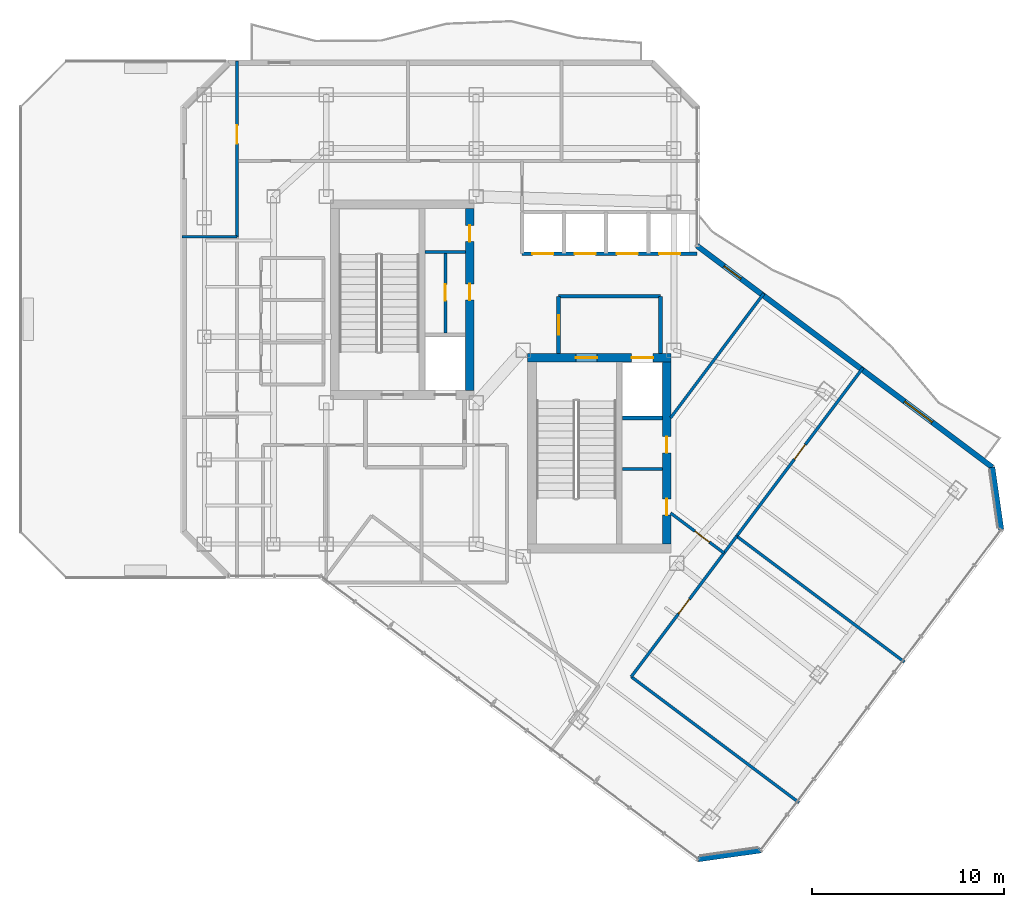
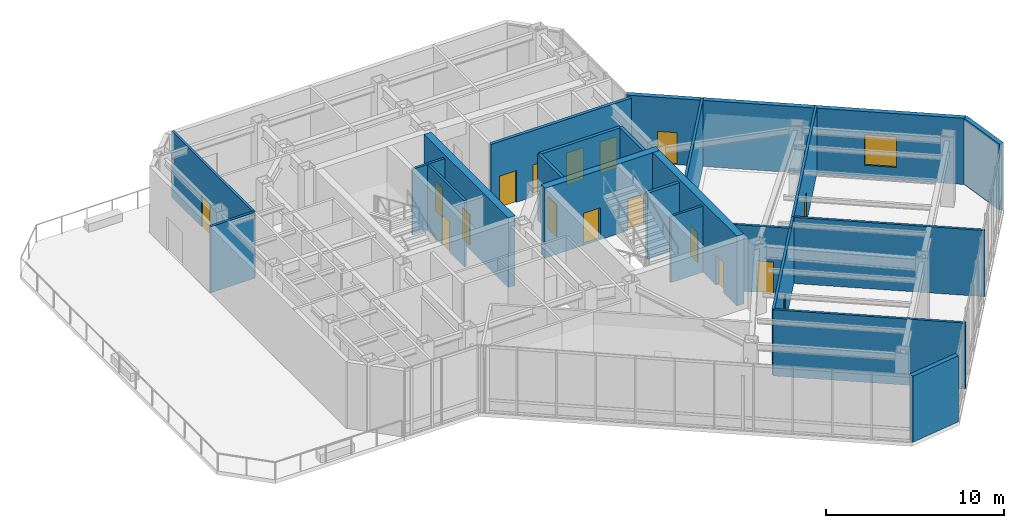
# One storey, part 17 of 21: 22 walls, 17 doors, 1 window, 18 openings.
"""IFC4 building model written with IfcOpenShell, lengths in metres."""

from ifc_helpers import new_model, si_unit, direction, frame, frame_2d, origin, place, context, subcontext, project, spatial, rectangle, extrude, material, layer, layer_set, type_object, element, fill, save


model = new_model("IFC4")

# Units and contexts
model_context = context("Model", 3, precision=1e-05, world=origin(), true_north=direction((0.0, 1.0)))
body_context = subcontext(model_context, "Body", "Model", "MODEL_VIEW")
ifc_project = project(units=[si_unit("LENGTHUNIT", "METRE"), si_unit("AREAUNIT", "SQUARE_METRE"), si_unit("VOLUMEUNIT", "CUBIC_METRE"), si_unit("PLANEANGLEUNIT", "RADIAN"), si_unit("MASSUNIT", "GRAM", prefix="KILO")], contexts=[model_context])

# Site, building, storey
site_placement = place(None, origin())
site = spatial("IfcSite", under=ifc_project, at=site_placement, CompositionType="ELEMENT")
building_placement = place(site_placement, origin())
building = spatial("IfcBuilding", under=site, at=building_placement, Name="Hatsunagi Terrace Concourse", CompositionType="ELEMENT")
storey_placement = place(building_placement, frame((0.0, 0.0, 186.75)))
storey = spatial("IfcBuildingStorey", under=building, at=storey_placement, Name="L49", CompositionType="ELEMENT", Elevation=186.75)

# Wall, openings, doors
ifc_material_1 = material(Name="Concrete Fc42", Category="concrete")
ifc_layer_1 = layer(ifc_material_1, 0.449951171875)
ifc_layer_set_1 = layer_set([ifc_layer_1], Name="CoreShearWall_Fc42_450")
wall_type_1 = type_object("IfcWallType", Name="CoreShearWall_Fc42_450", PredefinedType="SHEAR", material=ifc_layer_set_1)
wall_1_placement = place(storey_placement, frame((33.02490234375, 33.18994140625, 0.0), z_axis=(0.0, 0.0, 1.0), x_axis=(0.0, 1.0, 0.0)))
wall_1 = element("IfcWall", 1, at=wall_1_placement, inside=storey, type_object=wall_type_1, Name="Core A Shear Wall E L49", PredefinedType="SHEAR", context=body_context, shape_type="SweptSolid", body=[
    extrude(rectangle(XDim=9.47998046875, YDim=0.449951171875, at=frame_2d((4.739990234375, 0.0))), origin(), (0.0, 0.0, 1.0), 4.800048828125),
])
opening_1_placement = place(wall_1_placement, frame((4.7099609375, 0.0, 0.0)))
opening_1 = element("IfcOpeningElement", 2, at=opening_1_placement, cuts=wall_1, Name="Opening DR-085", PredefinedType="OPENING", context=body_context, shape_type="SweptSolid", body=[
    extrude(rectangle(XDim=0.85009765625, YDim=2.080078125, at=frame_2d((0.425048828125, 1.0400390625))), frame((0.0, 0.23486328125, 0.0), z_axis=(0.0, -1.0, 0.0), x_axis=(1.0, 0.0, 0.0)), (0.0, 0.0, 1.0), 0.469970703125),
])
opening_2_placement = place(wall_1_placement, frame((7.760009765625, 0.0, 0.0)))
opening_2 = element("IfcOpeningElement", 3, at=opening_2_placement, cuts=wall_1, Name="Opening DR-085", PredefinedType="OPENING", context=body_context, shape_type="SweptSolid", body=[
    extrude(rectangle(XDim=0.85009765625, YDim=2.080078125, at=frame_2d((0.425048828125, 1.0400390625))), frame((0.0, 0.23486328125, 0.0), z_axis=(0.0, -1.0, 0.0), x_axis=(1.0, 0.0, 0.0)), (0.0, 0.0, 1.0), 0.469970703125),
])
ifc_material_2 = material(Name="Painted steel", Category="steel")
door_type_1 = type_object("IfcDoorType", Name="RiserAccessDoor_EI60_850", OperationType="NOTDEFINED", PredefinedType="DOOR", material=ifc_material_2)
door_1_placement = place(opening_1_placement, origin())
door_1 = element("IfcDoor", 4, at=door_1_placement, inside=storey, type_object=door_type_1, Name="Core A Riser Door L49-1", OperationType="SINGLE_SWING_LEFT", OverallHeight=2.080078125, OverallWidth=0.85009765625, PredefinedType="DOOR", context=body_context, shape_type="SweptSolid", body=[
    extrude(rectangle(XDim=0.85009765625, YDim=2.080078125, at=frame_2d((0.425048828125, 1.0400390625))), frame((0.0, 0.02490234375, 0.0), z_axis=(0.0, -1.0, 0.0), x_axis=(1.0, 0.0, 0.0)), (0.0, 0.0, 1.0), 0.050048828125),
])
fill(opening_1, door_1)
door_2_placement = place(opening_2_placement, origin())
door_2 = element("IfcDoor", 5, at=door_2_placement, inside=storey, type_object=door_type_1, Name="Core A Riser Door L49-2", OperationType="SINGLE_SWING_LEFT", OverallHeight=2.080078125, OverallWidth=0.85009765625, PredefinedType="DOOR", context=body_context, shape_type="SweptSolid", body=[
    extrude(rectangle(XDim=0.85009765625, YDim=2.080078125, at=frame_2d((0.425048828125, 1.0400390625))), frame((0.0, 0.02490234375, 0.0), z_axis=(0.0, -1.0, 0.0), x_axis=(1.0, 0.0, 0.0)), (0.0, 0.0, 1.0), 0.050048828125),
])
fill(opening_2, door_2)

wall_2_placement = place(storey_placement, frame((36.0400390625, 34.89501953125, 0.0), z_axis=(0.0, 0.0, 1.0), x_axis=(1.0, 0.0, 0.0)))
wall_2 = element("IfcWall", 6, at=wall_2_placement, inside=storey, type_object=wall_type_1, Name="Core B Shear Wall N L49", PredefinedType="SHEAR", context=body_context, shape_type="SweptSolid", body=[
    extrude(rectangle(XDim=7.4599609375, YDim=0.449951171875, at=frame_2d((3.72998046875, 0.0))), origin(), (0.0, 0.0, 1.0), 4.800048828125),
])
opening_3_placement = place(wall_2_placement, frame((2.510009765625, 0.0, 0.0)))
opening_3 = element("IfcOpeningElement", 7, at=opening_3_placement, cuts=wall_2, Name="Opening DR-110S", PredefinedType="OPENING", context=body_context, shape_type="SweptSolid", body=[
    extrude(rectangle(XDim=1.10009765625, YDim=2.199951171875, at=frame_2d((0.550048828125, 1.10009765625))), frame((0.0, 0.23486328125, 0.0), z_axis=(0.0, -1.0, 0.0), x_axis=(1.0, 0.0, 0.0)), (0.0, 0.0, 1.0), 0.469970703125),
])
opening_4_placement = place(wall_2_placement, frame((5.409912109375, 0.0, 0.0)))
opening_4 = element("IfcOpeningElement", 8, at=opening_4_placement, cuts=wall_2, Name="Opening LD-02", PredefinedType="OPENING", context=body_context, shape_type="SweptSolid", body=[
    extrude(rectangle(XDim=1.1201171875, YDim=2.14990234375, at=frame_2d((0.56005859375, 1.074951171875))), frame((0.0, 0.23486328125, 0.0), z_axis=(0.0, -1.0, 0.0), x_axis=(1.0, 0.0, 0.0)), (0.0, 0.0, 1.0), 0.469970703125),
])
ifc_material_3 = material(Name="Stainless steel", Category="steel")
door_type_2 = type_object("IfcDoorType", Name="LiftLandingDoor_LD02", OperationType="SLIDING_TO_RIGHT", PredefinedType="USERDEFINED", material=ifc_material_3)
door_3_placement = place(opening_4_placement, origin())
door_3 = element("IfcDoor", 9, at=door_3_placement, inside=storey, type_object=door_type_2, Name="Lift landing door FF-02 L49", ObjectType="SLIDING_LANDING_DOOR", OperationType="SLIDING_TO_RIGHT", OverallHeight=2.14990234375, OverallWidth=1.1201171875, PredefinedType="USERDEFINED", context=body_context, shape_type="SweptSolid", body=[
    extrude(rectangle(XDim=1.1201171875, YDim=2.14990234375, at=frame_2d((0.56005859375, 1.074951171875))), frame((0.0, 0.02490234375, 0.0), z_axis=(0.0, -1.0, 0.0), x_axis=(1.0, 0.0, 0.0)), (0.0, 0.0, 1.0), 0.050048828125),
])
fill(opening_4, door_3)
ifc_material_4 = material(Name="Painted steel", Category="steel")
door_type_3 = type_object("IfcDoorType", Name="StairFireDoor_EI60_1100", OperationType="NOTDEFINED", PredefinedType="DOOR", material=ifc_material_4)
door_4_placement = place(opening_3_placement, origin())
door_4 = element("IfcDoor", 10, at=door_4_placement, inside=storey, type_object=door_type_3, Name="Stair ST-B Exit Door L49", OperationType="SINGLE_SWING_RIGHT", OverallHeight=2.199951171875, OverallWidth=1.10009765625, PredefinedType="DOOR", context=body_context, shape_type="SweptSolid", body=[
    extrude(rectangle(XDim=1.10009765625, YDim=2.199951171875, at=frame_2d((0.550048828125, 1.10009765625))), frame((0.0, 0.02490234375, 0.0), z_axis=(0.0, -1.0, 0.0), x_axis=(1.0, 0.0, 0.0)), (0.0, 0.0, 1.0), 0.050048828125),
])
fill(opening_3, door_4)

wall_3_placement = place(storey_placement, frame((43.27490234375, 25.18994140625, 0.0), z_axis=(0.0, 0.0, 1.0), x_axis=(0.0, 1.0, 0.0)))
wall_3 = element("IfcWall", 11, at=wall_3_placement, inside=storey, type_object=wall_type_1, Name="Core B Shear Wall E L49", PredefinedType="SHEAR", context=body_context, shape_type="SweptSolid", body=[
    extrude(rectangle(XDim=9.47998046875, YDim=0.449951171875, at=frame_2d((4.739990234375, 0.0))), origin(), (0.0, 0.0, 1.0), 4.800048828125),
])
opening_5_placement = place(wall_3_placement, frame((1.510009765625, 0.0, 0.0)))
opening_5 = element("IfcOpeningElement", 12, at=opening_5_placement, cuts=wall_3, Name="Opening DR-085", PredefinedType="OPENING", context=body_context, shape_type="SweptSolid", body=[
    extrude(rectangle(XDim=0.85009765625, YDim=2.080078125, at=frame_2d((0.425048828125, 1.0400390625))), frame((0.0, 0.23486328125, 0.0), z_axis=(0.0, -1.0, 0.0), x_axis=(1.0, 0.0, 0.0)), (0.0, 0.0, 1.0), 0.469970703125),
])
opening_6_placement = place(wall_3_placement, frame((4.760009765625, 0.0, 0.0)))
opening_6 = element("IfcOpeningElement", 13, at=opening_6_placement, cuts=wall_3, Name="Opening DR-085", PredefinedType="OPENING", context=body_context, shape_type="SweptSolid", body=[
    extrude(rectangle(XDim=0.85009765625, YDim=2.080078125, at=frame_2d((0.425048828125, 1.0400390625))), frame((0.0, 0.23486328125, 0.0), z_axis=(0.0, -1.0, 0.0), x_axis=(1.0, 0.0, 0.0)), (0.0, 0.0, 1.0), 0.469970703125),
])
door_5_placement = place(opening_5_placement, origin())
door_5 = element("IfcDoor", 14, at=door_5_placement, inside=storey, type_object=door_type_1, Name="Core B Riser Door L49-1", OperationType="SINGLE_SWING_RIGHT", OverallHeight=2.080078125, OverallWidth=0.85009765625, PredefinedType="DOOR", context=body_context, shape_type="SweptSolid", body=[
    extrude(rectangle(XDim=0.85009765625, YDim=2.080078125, at=frame_2d((0.425048828125, 1.0400390625))), frame((0.0, 0.02490234375, 0.0), z_axis=(0.0, -1.0, 0.0), x_axis=(1.0, 0.0, 0.0)), (0.0, 0.0, 1.0), 0.050048828125),
])
fill(opening_5, door_5)
door_6_placement = place(opening_6_placement, origin())
door_6 = element("IfcDoor", 15, at=door_6_placement, inside=storey, type_object=door_type_1, Name="Core B Riser Door L49-2", OperationType="SINGLE_SWING_RIGHT", OverallHeight=2.080078125, OverallWidth=0.85009765625, PredefinedType="DOOR", context=body_context, shape_type="SweptSolid", body=[
    extrude(rectangle(XDim=0.85009765625, YDim=2.080078125, at=frame_2d((0.425048828125, 1.0400390625))), frame((0.0, 0.02490234375, 0.0), z_axis=(0.0, -1.0, 0.0), x_axis=(1.0, 0.0, 0.0)), (0.0, 0.0, 1.0), 0.050048828125),
])
fill(opening_6, door_6)

# Wall, opening, door
ifc_material_5 = material(Name="Acoustic mineral board", Category="gypsum")
ifc_layer_2 = layer(ifc_material_5, 0.14990234375)
ifc_layer_set_2 = layer_set([ifc_layer_2], Name="PartitionWall_EI60_150")
wall_type_2 = type_object("IfcWallType", Name="PartitionWall_EI60_150", PredefinedType="PARTITIONING", material=ifc_layer_set_2)
wall_4_placement = place(storey_placement, frame((31.75, 36.179931640625, 0.0), z_axis=(0.0, 0.0, 1.0), x_axis=(0.0, 1.0, 0.0)))
wall_4 = element("IfcWall", 16, at=wall_4_placement, inside=storey, type_object=wall_type_2, Name="Interior Partition IW-L49-002", PredefinedType="PARTITIONING", context=body_context, shape_type="SweptSolid", body=[
    extrude(rectangle(XDim=4.239990234375, YDim=0.14990234375, at=frame_2d((2.1201171875, 0.0))), origin(), (0.0, 0.0, 1.0), 4.550048828125),
])
opening_7_placement = place(wall_4_placement, frame((1.695068359375, 0.0, 0.0)))
opening_7 = element("IfcOpeningElement", 17, at=opening_7_placement, cuts=wall_4, Name="Opening DR-085", PredefinedType="OPENING", context=body_context, shape_type="SweptSolid", body=[
    extrude(rectangle(XDim=0.85009765625, YDim=2.080078125, at=frame_2d((0.425048828125, 1.0400390625))), frame((0.0, 0.0849609375, 0.0), z_axis=(0.0, -1.0, 0.0), x_axis=(1.0, 0.0, 0.0)), (0.0, 0.0, 1.0), 0.169921875),
])
door_7_placement = place(opening_7_placement, origin())
door_7 = element("IfcDoor", 18, at=door_7_placement, inside=storey, type_object=door_type_1, Name="Core A Sub-Riser Door L49", OperationType="SINGLE_SWING_LEFT", OverallHeight=2.080078125, OverallWidth=0.85009765625, PredefinedType="DOOR", context=body_context, shape_type="SweptSolid", body=[
    extrude(rectangle(XDim=0.85009765625, YDim=2.080078125, at=frame_2d((0.425048828125, 1.0400390625))), frame((0.0, 0.02490234375, 0.0), z_axis=(0.0, -1.0, 0.0), x_axis=(1.0, 0.0, 0.0)), (0.0, 0.0, 1.0), 0.050048828125),
])
fill(opening_7, door_7)

# Walls
wall_5_placement = place(storey_placement, frame((30.699951171875, 40.39990234375, 0.0), z_axis=(0.0, 0.0, 1.0), x_axis=(1.0, 0.0, 0.0)))
element("IfcWall", 19, at=wall_5_placement, inside=storey, type_object=wall_type_2, Name="Interior Partition IW-L49-003", PredefinedType="PARTITIONING", context=body_context, shape_type="SweptSolid", body=[
    extrude(rectangle(XDim=2.10009765625, YDim=0.14990234375, at=frame_2d((1.050048828125, 0.0))), origin(), (0.0, 0.0, 1.0), 4.550048828125),
])
wall_6_placement = place(storey_placement, frame((40.969970703125, 29.10009765625, 0.0), z_axis=(0.0, 0.0, 1.0), x_axis=(1.0, 0.0, 0.0)))
element("IfcWall", 20, at=wall_6_placement, inside=storey, type_object=wall_type_2, Name="Interior Partition IW-L49-005", PredefinedType="PARTITIONING", context=body_context, shape_type="SweptSolid", body=[
    extrude(rectangle(XDim=2.080078125, YDim=0.14990234375, at=frame_2d((1.0400390625, 0.0))), origin(), (0.0, 0.0, 1.0), 4.550048828125),
])
wall_7_placement = place(storey_placement, frame((18.0400390625, 41.199951171875, 0.0), z_axis=(0.0, 0.0, 1.0), x_axis=(1.0, 0.0, 0.0)))
element("IfcWall", 21, at=wall_7_placement, inside=storey, type_object=wall_type_2, Name="Interior Partition IW-L49-035", PredefinedType="PARTITIONING", context=body_context, shape_type="SweptSolid", body=[
    extrude(rectangle(XDim=2.85986328125, YDim=0.14990234375, at=frame_2d((1.429931640625, 0.0))), origin(), (0.0, 0.0, 1.0), 4.550048828125),
])

# Wall, opening, door
wall_8_placement = place(storey_placement, frame((20.89990234375, 41.199951171875, 0.0), z_axis=(0.0, 0.0, 1.0), x_axis=(0.0, 1.0, 0.0)))
wall_8 = element("IfcWall", 22, at=wall_8_placement, inside=storey, type_object=wall_type_2, Name="Interior Partition IW-L49-037", PredefinedType="PARTITIONING", context=body_context, shape_type="SweptSolid", body=[
    extrude(rectangle(XDim=9.16015625, YDim=0.14990234375, at=frame_2d((4.580078125, 0.0))), origin(), (0.0, 0.0, 1.0), 4.550048828125),
])
opening_8_placement = place(wall_8_placement, frame((4.85009765625, 0.0, 0.0)))
opening_8 = element("IfcOpeningElement", 23, at=opening_8_placement, cuts=wall_8, Name="Opening DR-095", PredefinedType="OPENING", context=body_context, shape_type="SweptSolid", body=[
    extrude(rectangle(XDim=0.949951171875, YDim=2.14990234375, at=frame_2d((0.47509765625, 1.074951171875))), frame((0.0, 0.0849609375, 0.0), z_axis=(0.0, -1.0, 0.0), x_axis=(1.0, 0.0, 0.0)), (0.0, 0.0, 1.0), 0.169921875),
])
ifc_material_6 = material(Name="Hardwood timber", Category="wood")
door_type_4 = type_object("IfcDoorType", Name="InteriorSuiteDoor_EI30_950", OperationType="NOTDEFINED", PredefinedType="DOOR", material=ifc_material_6)
door_8_placement = place(opening_8_placement, origin())
door_8 = element("IfcDoor", 24, at=door_8_placement, inside=storey, type_object=door_type_4, Name="Boardroom L49-OW3 Door", OperationType="SINGLE_SWING_RIGHT", OverallHeight=2.14990234375, OverallWidth=0.949951171875, PredefinedType="DOOR", context=body_context, shape_type="SweptSolid", body=[
    extrude(rectangle(XDim=0.949951171875, YDim=2.14990234375, at=frame_2d((0.47509765625, 1.074951171875))), frame((0.0, 0.02490234375, 0.0), z_axis=(0.0, -1.0, 0.0), x_axis=(1.0, 0.0, 0.0)), (0.0, 0.0, 1.0), 0.050048828125),
])
fill(opening_8, door_8)

# Walls
for number, where, z_axis, x_axis, name in (
    (25, (41.429931640625, 18.2900390625, 0.0), (0.0, 0.0, 1.0), (0.799994629375, -0.600007160767, 0.0), "Interior Partition IW-L49-043"),
    (26, (46.919921875, 25.610107421875, 0.0), (0.0, 0.0, 1.0), (0.799994629375, -0.600007160767, 0.0), "Interior Partition IW-L49-044"),
):
    element("IfcWall", number, at=place(storey_placement, frame(where, z_axis=z_axis, x_axis=x_axis)), inside=storey, type_object=wall_type_2, Name=name, PredefinedType="PARTITIONING", context=body_context, shape_type="SweptSolid", body=[
        extrude(rectangle(XDim=10.91015625, YDim=0.14990234375, at=frame_2d((5.455078125, 0.0))), origin(), (0.0, 0.0, 1.0), 4.550048828125),
    ])

# Wall, opening, door
wall_9_placement = place(storey_placement, frame((41.429931640625, 18.2900390625, 0.0), z_axis=(0.0, 0.0, 1.0), x_axis=(0.599995730889, 0.800003201816, 0.0)))
wall_9 = element("IfcWall", 27, at=wall_9_placement, inside=storey, type_object=wall_type_2, Name="Interior Partition IW-L49-045", PredefinedType="PARTITIONING", context=body_context, shape_type="SweptSolid", body=[
    extrude(rectangle(XDim=9.150146484375, YDim=0.14990234375, at=frame_2d((4.5751953125, 0.0))), origin(), (0.0, 0.0, 1.0), 4.550048828125),
])
opening_9_placement = place(wall_9_placement, frame((4.10009765625, 0.0, 0.0)))
opening_9 = element("IfcOpeningElement", 28, at=opening_9_placement, cuts=wall_9, Name="Opening DR-095", PredefinedType="OPENING", context=body_context, shape_type="SweptSolid", body=[
    extrude(rectangle(XDim=0.949951171875, YDim=2.14990234375, at=frame_2d((0.47509765625, 1.074951171875))), frame((0.0, 0.0849609375, 0.0), z_axis=(0.0, -1.0, 0.0), x_axis=(1.0, 0.0, 0.0)), (0.0, 0.0, 1.0), 0.169921875),
])
door_9_placement = place(opening_9_placement, origin())
door_9 = element("IfcDoor", 29, at=door_9_placement, inside=storey, type_object=door_type_4, Name="Research Focus Suite L49-OSE1 Door", OperationType="SINGLE_SWING_RIGHT", OverallHeight=2.14990234375, OverallWidth=0.949951171875, PredefinedType="DOOR", context=body_context, shape_type="SweptSolid", body=[
    extrude(rectangle(XDim=0.949951171875, YDim=2.14990234375, at=frame_2d((0.47509765625, 1.074951171875))), frame((0.0, 0.02490234375, 0.0), z_axis=(0.0, -1.0, 0.0), x_axis=(1.0, 0.0, 0.0)), (0.0, 0.0, 1.0), 0.050048828125),
])
fill(opening_9, door_9)

wall_10_placement = place(storey_placement, frame((46.919921875, 25.610107421875, 0.0), z_axis=(0.0, 0.0, 1.0), x_axis=(0.600017820398, 0.799986634391, 0.0)))
wall_10 = element("IfcWall", 30, at=wall_10_placement, inside=storey, type_object=wall_type_2, Name="Interior Partition IW-L49-046", PredefinedType="PARTITIONING", context=body_context, shape_type="SweptSolid", body=[
    extrude(rectangle(XDim=10.9599609375, YDim=0.14990234375, at=frame_2d((5.47998046875, 0.0))), origin(), (0.0, 0.0, 1.0), 4.550048828125),
])
opening_10_placement = place(wall_10_placement, frame((5.0048828125, 0.0, 0.0)))
opening_10 = element("IfcOpeningElement", 31, at=opening_10_placement, cuts=wall_10, Name="Opening DR-095", PredefinedType="OPENING", context=body_context, shape_type="SweptSolid", body=[
    extrude(rectangle(XDim=0.949951171875, YDim=2.14990234375, at=frame_2d((0.47509765625, 1.074951171875))), frame((0.0, 0.0849609375, 0.0), z_axis=(0.0, -1.0, 0.0), x_axis=(1.0, 0.0, 0.0)), (0.0, 0.0, 1.0), 0.169921875),
])
door_10_placement = place(opening_10_placement, origin())
door_10 = element("IfcDoor", 32, at=door_10_placement, inside=storey, type_object=door_type_4, Name="Research Focus Suite L49-OSE2 Door", OperationType="SINGLE_SWING_RIGHT", OverallHeight=2.14990234375, OverallWidth=0.949951171875, PredefinedType="DOOR", context=body_context, shape_type="SweptSolid", body=[
    extrude(rectangle(XDim=0.949951171875, YDim=2.14990234375, at=frame_2d((0.47509765625, 1.074951171875))), frame((0.0, 0.02490234375, 0.0), z_axis=(0.0, -1.0, 0.0), x_axis=(1.0, 0.0, 0.0)), (0.0, 0.0, 1.0), 0.050048828125),
])
fill(opening_10, door_10)

wall_11_placement = place(storey_placement, frame((43.47998046875, 26.81494140625, 0.0), z_axis=(0.0, 0.0, 1.0), x_axis=(0.800008430676, -0.599988758934, 0.0)))
wall_11 = element("IfcWall", 33, at=wall_11_placement, inside=storey, type_object=wall_type_2, Name="Interior Partition IW-L49-047", PredefinedType="PARTITIONING", context=body_context, shape_type="SweptSolid", body=[
    extrude(rectangle(XDim=3.47509765625, YDim=0.14990234375, at=frame_2d((1.737548828125, 0.0))), origin(), (0.0, 0.0, 1.0), 4.550048828125),
])
opening_11_placement = place(wall_11_placement, frame((1.580078125, 0.0, 0.0)))
opening_11 = element("IfcOpeningElement", 34, at=opening_11_placement, cuts=wall_11, Name="Opening DR-095", PredefinedType="OPENING", context=body_context, shape_type="SweptSolid", body=[
    extrude(rectangle(XDim=0.949951171875, YDim=2.14990234375, at=frame_2d((0.47509765625, 1.074951171875))), frame((0.0, 0.0849609375, 0.0), z_axis=(0.0, -1.0, 0.0), x_axis=(1.0, 0.0, 0.0)), (0.0, 0.0, 1.0), 0.169921875),
])
door_11_placement = place(opening_11_placement, origin())
door_11 = element("IfcDoor", 35, at=door_11_placement, inside=storey, type_object=door_type_4, Name="Collaboration Lounge L49-OSEN1 Door", OperationType="SINGLE_SWING_LEFT", OverallHeight=2.14990234375, OverallWidth=0.949951171875, PredefinedType="DOOR", context=body_context, shape_type="SweptSolid", body=[
    extrude(rectangle(XDim=0.949951171875, YDim=2.14990234375, at=frame_2d((0.47509765625, 1.074951171875))), frame((0.0, 0.02490234375, 0.0), z_axis=(0.0, -1.0, 0.0), x_axis=(1.0, 0.0, 0.0)), (0.0, 0.0, 1.0), 0.050048828125),
])
fill(opening_11, door_11)

# Walls
wall_12_placement = place(storey_placement, frame((43.47998046875, 31.77294921875, 0.0), z_axis=(0.0, 0.0, 1.0), x_axis=(0.599971041729, 0.800021717885, 0.0)))
element("IfcWall", 36, at=wall_12_placement, inside=storey, type_object=wall_type_2, Name="Interior Partition IW-L49-048", PredefinedType="PARTITIONING", context=body_context, shape_type="SweptSolid", body=[
    extrude(rectangle(XDim=8.09375, YDim=0.14990234375, at=frame_2d((4.046875, 0.0))), origin(), (0.0, 0.0, 1.0), 4.550048828125),
])
ifc_material_7 = material(Name="Acoustic mineral board", Category="gypsum")
ifc_layer_3 = layer(ifc_material_7, 0.199951171875)
ifc_layer_set_3 = layer_set([ifc_layer_3], Name="ShaftWall_EI120_200")
wall_type_3 = type_object("IfcWallType", Name="ShaftWall_EI120_200", PredefinedType="STANDARD", material=ifc_layer_set_3)
wall_13_placement = place(storey_placement, frame((40.969970703125, 31.760009765625, 0.0), z_axis=(0.0, 0.0, 1.0), x_axis=(1.0, 0.0, 0.0)))
element("IfcWall", 37, at=wall_13_placement, inside=storey, type_object=wall_type_3, Name="Interior Partition IW-L49-004", PredefinedType="STANDARD", context=body_context, shape_type="SweptSolid", body=[
    extrude(rectangle(XDim=2.080078125, YDim=0.199951171875, at=frame_2d((1.0400390625, 0.0))), origin(), (0.0, 0.0, 1.0), 4.550048828125),
])
wall_14_placement = place(storey_placement, frame((37.64990234375, 38.10009765625, 0.0), z_axis=(0.0, 0.0, 1.0), x_axis=(1.0, 0.0, 0.0)))
element("IfcWall", 38, at=wall_14_placement, inside=storey, type_object=wall_type_3, Name="Interior Partition IW-L49-009", PredefinedType="STANDARD", context=body_context, shape_type="SweptSolid", body=[
    extrude(rectangle(XDim=5.300048828125, YDim=0.199951171875, at=frame_2d((2.64990234375, 0.0))), origin(), (0.0, 0.0, 1.0), 4.550048828125),
])
wall_15_placement = place(storey_placement, frame((42.949951171875, 35.1201171875, 0.0), z_axis=(0.0, 0.0, 1.0), x_axis=(0.0, 1.0, 0.0)))
element("IfcWall", 39, at=wall_15_placement, inside=storey, type_object=wall_type_3, Name="Interior Partition IW-L49-010", PredefinedType="STANDARD", context=body_context, shape_type="SweptSolid", body=[
    extrude(rectangle(XDim=2.97998046875, YDim=0.199951171875, at=frame_2d((1.489990234375, 0.0))), origin(), (0.0, 0.0, 1.0), 4.550048828125),
])

# Wall, opening, door
wall_16_placement = place(storey_placement, frame((37.64990234375, 35.1201171875, 0.0), z_axis=(0.0, 0.0, 1.0), x_axis=(0.0, 1.0, 0.0)))
wall_16 = element("IfcWall", 40, at=wall_16_placement, inside=storey, type_object=wall_type_3, Name="Interior Partition IW-L49-011", PredefinedType="STANDARD", context=body_context, shape_type="SweptSolid", body=[
    extrude(rectangle(XDim=2.97998046875, YDim=0.199951171875, at=frame_2d((1.489990234375, 0.0))), origin(), (0.0, 0.0, 1.0), 4.550048828125),
])
opening_12_placement = place(wall_16_placement, frame((0.989990234375, 0.0, 0.0)))
opening_12 = element("IfcOpeningElement", 41, at=opening_12_placement, cuts=wall_16, Name="Opening DR-100F", PredefinedType="OPENING", context=body_context, shape_type="SweptSolid", body=[
    extrude(rectangle(XDim=1.0, YDim=2.199951171875, at=frame_2d((0.5, 1.10009765625))), frame((0.0, 0.10986328125, 0.0), z_axis=(0.0, -1.0, 0.0), x_axis=(1.0, 0.0, 0.0)), (0.0, 0.0, 1.0), 0.219970703125),
])
ifc_material_8 = material(Name="Painted steel", Category="steel")
door_type_5 = type_object("IfcDoorType", Name="FireDoor_EI60_1000", OperationType="NOTDEFINED", PredefinedType="DOOR", material=ifc_material_8)
door_12_placement = place(opening_12_placement, origin())
door_12 = element("IfcDoor", 42, at=door_12_placement, inside=storey, type_object=door_type_5, Name="Firefighting Lobby B Door L49", OperationType="SINGLE_SWING_RIGHT", OverallHeight=2.199951171875, OverallWidth=1.0, PredefinedType="DOOR", context=body_context, shape_type="SweptSolid", body=[
    extrude(rectangle(XDim=1.0, YDim=2.199951171875, at=frame_2d((0.5, 1.10009765625))), frame((0.0, 0.02490234375, 0.0), z_axis=(0.0, -1.0, 0.0), x_axis=(1.0, 0.0, 0.0)), (0.0, 0.0, 1.0), 0.050048828125),
])
fill(opening_12, door_12)

# Wall, openings, doors
wall_17_placement = place(storey_placement, frame((35.75, 40.320068359375, 0.0), z_axis=(0.0, 0.0, 1.0), x_axis=(1.0, 0.0, 0.0)))
wall_17 = element("IfcWall", 43, at=wall_17_placement, inside=storey, type_object=wall_type_3, Name="Interior Partition IW-L49-017", PredefinedType="STANDARD", context=body_context, shape_type="SweptSolid", body=[
    extrude(rectangle(XDim=9.110107421875, YDim=0.199951171875, at=frame_2d((4.55517578125, 0.0))), origin(), (0.0, 0.0, 1.0), 4.550048828125),
])
opening_13_placement = place(wall_17_placement, frame((0.530029296875, 0.0, 0.0)))
opening_13 = element("IfcOpeningElement", 44, at=opening_13_placement, cuts=wall_17, Name="Opening LD-04", PredefinedType="OPENING", context=body_context, shape_type="SweptSolid", body=[
    extrude(rectangle(XDim=1.10009765625, YDim=2.179931640625, at=frame_2d((0.550048828125, 1.08984375))), frame((0.0, 0.10986328125, 0.0), z_axis=(0.0, -1.0, 0.0), x_axis=(1.0, 0.0, 0.0)), (0.0, 0.0, 1.0), 0.219970703125),
])
opening_14_placement = place(wall_17_placement, frame((2.72998046875, 0.0, 0.0)))
opening_14 = element("IfcOpeningElement", 45, at=opening_14_placement, cuts=wall_17, Name="Opening LD-04", PredefinedType="OPENING", context=body_context, shape_type="SweptSolid", body=[
    extrude(rectangle(XDim=1.10009765625, YDim=2.179931640625, at=frame_2d((0.550048828125, 1.08984375))), frame((0.0, 0.10986328125, 0.0), z_axis=(0.0, -1.0, 0.0), x_axis=(1.0, 0.0, 0.0)), (0.0, 0.0, 1.0), 0.219970703125),
])
opening_15_placement = place(wall_17_placement, frame((4.929931640625, 0.0, 0.0)))
opening_15 = element("IfcOpeningElement", 46, at=opening_15_placement, cuts=wall_17, Name="Opening LD-04", PredefinedType="OPENING", context=body_context, shape_type="SweptSolid", body=[
    extrude(rectangle(XDim=1.10009765625, YDim=2.179931640625, at=frame_2d((0.550048828125, 1.08984375))), frame((0.0, 0.10986328125, 0.0), z_axis=(0.0, -1.0, 0.0), x_axis=(1.0, 0.0, 0.0)), (0.0, 0.0, 1.0), 0.219970703125),
])
opening_16_placement = place(wall_17_placement, frame((7.1298828125, 0.0, 0.0)))
opening_16 = element("IfcOpeningElement", 47, at=opening_16_placement, cuts=wall_17, Name="Opening LD-04", PredefinedType="OPENING", context=body_context, shape_type="SweptSolid", body=[
    extrude(rectangle(XDim=1.10009765625, YDim=2.179931640625, at=frame_2d((0.550048828125, 1.08984375))), frame((0.0, 0.10986328125, 0.0), z_axis=(0.0, -1.0, 0.0), x_axis=(1.0, 0.0, 0.0)), (0.0, 0.0, 1.0), 0.219970703125),
])
ifc_material_9 = material(Name="Stainless steel", Category="steel")
door_type_6 = type_object("IfcDoorType", Name="LiftLandingDoor_LD04", OperationType="SLIDING_TO_RIGHT", PredefinedType="USERDEFINED", material=ifc_material_9)
door_13_placement = place(opening_13_placement, origin())
door_13 = element("IfcDoor", 48, at=door_13_placement, inside=storey, type_object=door_type_6, Name="Lift landing door PL-05 L49", ObjectType="SLIDING_LANDING_DOOR", OperationType="SLIDING_TO_RIGHT", OverallHeight=2.179931640625, OverallWidth=1.10009765625, PredefinedType="USERDEFINED", context=body_context, shape_type="SweptSolid", body=[
    extrude(rectangle(XDim=1.10009765625, YDim=2.179931640625, at=frame_2d((0.550048828125, 1.08984375))), frame((0.0, 0.02490234375, 0.0), z_axis=(0.0, -1.0, 0.0), x_axis=(1.0, 0.0, 0.0)), (0.0, 0.0, 1.0), 0.050048828125),
])
fill(opening_13, door_13)
door_14_placement = place(opening_14_placement, origin())
door_14 = element("IfcDoor", 49, at=door_14_placement, inside=storey, type_object=door_type_6, Name="Lift landing door PL-06 L49", ObjectType="SLIDING_LANDING_DOOR", OperationType="SLIDING_TO_RIGHT", OverallHeight=2.179931640625, OverallWidth=1.10009765625, PredefinedType="USERDEFINED", context=body_context, shape_type="SweptSolid", body=[
    extrude(rectangle(XDim=1.10009765625, YDim=2.179931640625, at=frame_2d((0.550048828125, 1.08984375))), frame((0.0, 0.02490234375, 0.0), z_axis=(0.0, -1.0, 0.0), x_axis=(1.0, 0.0, 0.0)), (0.0, 0.0, 1.0), 0.050048828125),
])
fill(opening_14, door_14)
door_15_placement = place(opening_15_placement, origin())
door_15 = element("IfcDoor", 50, at=door_15_placement, inside=storey, type_object=door_type_6, Name="Lift landing door PL-07 L49", ObjectType="SLIDING_LANDING_DOOR", OperationType="SLIDING_TO_RIGHT", OverallHeight=2.179931640625, OverallWidth=1.10009765625, PredefinedType="USERDEFINED", context=body_context, shape_type="SweptSolid", body=[
    extrude(rectangle(XDim=1.10009765625, YDim=2.179931640625, at=frame_2d((0.550048828125, 1.08984375))), frame((0.0, 0.02490234375, 0.0), z_axis=(0.0, -1.0, 0.0), x_axis=(1.0, 0.0, 0.0)), (0.0, 0.0, 1.0), 0.050048828125),
])
fill(opening_15, door_15)
door_16_placement = place(opening_16_placement, origin())
door_16 = element("IfcDoor", 51, at=door_16_placement, inside=storey, type_object=door_type_6, Name="Lift landing door PL-08 L49", ObjectType="SLIDING_LANDING_DOOR", OperationType="SLIDING_TO_RIGHT", OverallHeight=2.179931640625, OverallWidth=1.10009765625, PredefinedType="USERDEFINED", context=body_context, shape_type="SweptSolid", body=[
    extrude(rectangle(XDim=1.10009765625, YDim=2.179931640625, at=frame_2d((0.550048828125, 1.08984375))), frame((0.0, 0.02490234375, 0.0), z_axis=(0.0, -1.0, 0.0), x_axis=(1.0, 0.0, 0.0)), (0.0, 0.0, 1.0), 0.050048828125),
])
fill(opening_16, door_16)

# Wall, openings, door, window
ifc_material_10 = material(Name="Autoclaved Lightweight Concrete and Terracotta Cladding", Category="masonry")
ifc_layer_4 = layer(ifc_material_10, 0.280029296875)
ifc_layer_set_4 = layer_set([ifc_layer_4], Name="TerracottaSpandrelWall_280")
wall_type_4 = type_object("IfcWallType", Name="TerracottaSpandrelWall_280", PredefinedType="STANDARD", material=ifc_layer_set_4)
wall_18_placement = place(storey_placement, frame((44.860107421875, 40.72998046875, 0.0), z_axis=(0.0, 0.0, 1.0), x_axis=(0.800007624502, -0.599989833863, 0.0)))
wall_18 = element("IfcWall", 52, at=wall_18_placement, inside=storey, type_object=wall_type_4, Name="Exterior Spandrel Wall EW-L49-01", PredefinedType="STANDARD", context=body_context, shape_type="SweptSolid", body=[
    extrude(rectangle(XDim=19.212158203125, YDim=0.280029296875, at=frame_2d((9.60595703125, 0.0))), origin(), (0.0, 0.0, 1.0), 4.550048828125),
])
opening_17_placement = place(wall_18_placement, frame((1.7548828125, 0.0, 0.0)))
opening_17 = element("IfcOpeningElement", 53, at=opening_17_placement, cuts=wall_18, Name="Opening BD-01", PredefinedType="OPENING", context=body_context, shape_type="SweptSolid", body=[
    extrude(rectangle(XDim=1.10009765625, YDim=2.199951171875, at=frame_2d((0.550048828125, 1.10009765625))), frame((0.0, 0.14990234375, 0.0), z_axis=(0.0, -1.0, 0.0), x_axis=(1.0, 0.0, 0.0)), (0.0, 0.0, 1.0), 0.300048828125),
])
opening_18_placement = place(wall_18_placement, frame((13.509033203125, 0.0, 0.85009765625)))
opening_18 = element("IfcOpeningElement", 54, at=opening_18_placement, cuts=wall_18, Name="Opening WIN-03", PredefinedType="OPENING", context=body_context, shape_type="SweptSolid", body=[
    extrude(rectangle(XDim=1.800048828125, YDim=2.10009765625, at=frame_2d((0.89990234375, 1.050048828125))), frame((0.0, 0.14990234375, 0.0), z_axis=(0.0, -1.0, 0.0), x_axis=(1.0, 0.0, 0.0)), (0.0, 0.0, 1.0), 0.300048828125),
])
ifc_material_11 = material(Name="Galvanised Steel and Laminated Safety Glass", Category="steel")
door_type_7 = type_object("IfcDoorType", Name="BalconyTerraceAccessDoor_1100x2200", OperationType="SINGLE_SWING_LEFT", PredefinedType="DOOR", material=ifc_material_11)
door_17_placement = place(opening_17_placement, origin())
door_17 = element("IfcDoor", 55, at=door_17_placement, inside=storey, type_object=door_type_7, Name="Engawa Balcony Door L49-BSE", OperationType="SINGLE_SWING_LEFT", OverallHeight=2.199951171875, OverallWidth=1.10009765625, PredefinedType="DOOR", context=body_context, shape_type="SweptSolid", body=[
    extrude(rectangle(XDim=1.10009765625, YDim=2.199951171875, at=frame_2d((0.550048828125, 1.10009765625))), frame((0.0, 0.02490234375, 0.0), z_axis=(0.0, -1.0, 0.0), x_axis=(1.0, 0.0, 0.0)), (0.0, 0.0, 1.0), 0.050048828125),
])
fill(opening_17, door_17)
ifc_material_12 = material(Name="Thermally Broken Aluminium and Low-E Triple Glazing", Category="aluminium")
window_type = type_object("IfcWindowType", Name="OfficeCornerFeatureWindow_1800x2100", PartitioningType="SINGLE_PANEL", PredefinedType="WINDOW", material=ifc_material_12)
window_placement = place(opening_18_placement, origin())
window = element("IfcWindow", 56, at=window_placement, inside=storey, type_object=window_type, Name="Balcony Daylighting Window L49-01-2", OverallHeight=2.10009765625, OverallWidth=1.800048828125, PartitioningType="SINGLE_PANEL", PredefinedType="WINDOW", context=body_context, shape_type="SweptSolid", body=[
    extrude(rectangle(XDim=1.800048828125, YDim=2.10009765625, at=frame_2d((0.89990234375, 1.050048828125))), frame((0.0, 0.030029296875, 0.0), z_axis=(0.0, -1.0, 0.0), x_axis=(1.0, 0.0, 0.0)), (0.0, 0.0, 1.0), 0.06005859375),
])
fill(opening_18, window)

# Walls
wall_19_placement = place(storey_placement, frame((60.22998046875, 29.202880859375, 0.0), z_axis=(0.0, 0.0, 1.0), x_axis=(0.141296221922, -0.989967361922, 0.0)))
element("IfcWall", 57, at=wall_19_placement, inside=storey, type_object=wall_type_4, Name="Exterior Spandrel Wall EW-L49-02", PredefinedType="STANDARD", context=body_context, shape_type="SweptSolid", body=[
    extrude(rectangle(XDim=3.27783203125, YDim=0.280029296875, at=frame_2d((1.638916015625, 0.0))), origin(), (0.0, 0.0, 1.0), 4.550048828125),
])
wall_20_placement = place(storey_placement, frame((48.1630859375, 9.25, 0.0), z_axis=(0.0, 0.0, 1.0), x_axis=(-0.989979263428, -0.141212810973, 0.0)))
element("IfcWall", 58, at=wall_20_placement, inside=storey, type_object=wall_type_4, Name="Exterior Spandrel Wall EW-L49-04", PredefinedType="STANDARD", context=body_context, shape_type="SweptSolid", body=[
    extrude(rectangle(XDim=3.278076171875, YDim=0.280029296875, at=frame_2d((1.63916015625, 0.0))), origin(), (0.0, 0.0, 1.0), 4.550048828125),
])

save(model, "model.ifc")
